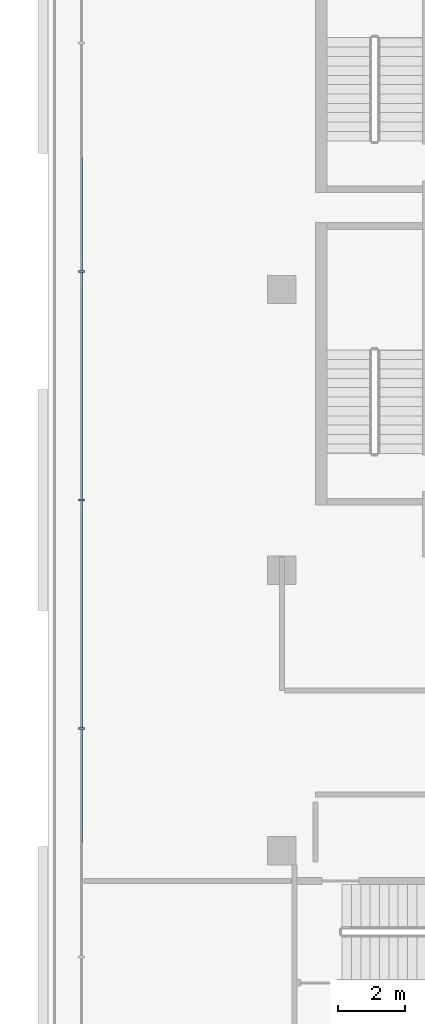
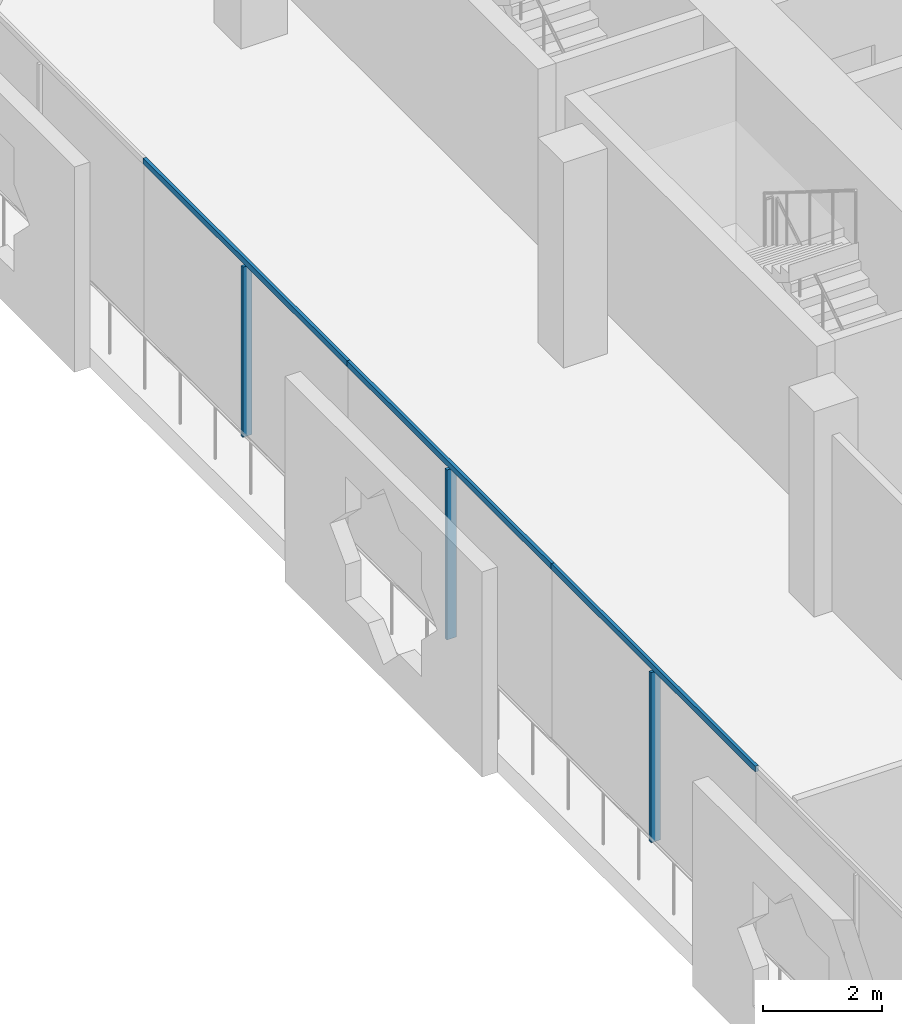
# One storey, part 3 of 21: 6 members, 1 element without a shape of its own.
"""IFC4 building model written with IfcOpenShell, lengths in metres."""

from ifc_helpers import new_model, si_unit, direction, frame, origin, origin_2d, place, context, subcontext, project, spatial, rectangle, extrude, material, layer, layer_set, material_profile, profile_set, type_object, element, aggregate, save


model = new_model("IFC4")

# Units and contexts
model_context = context("Model", 3, precision=1e-05, world=origin(), true_north=direction((0.0, 1.0)))
body_context = subcontext(model_context, "Body", "Model", "MODEL_VIEW")
ifc_project = project(units=[si_unit("LENGTHUNIT", "METRE"), si_unit("AREAUNIT", "SQUARE_METRE"), si_unit("VOLUMEUNIT", "CUBIC_METRE"), si_unit("PLANEANGLEUNIT", "RADIAN"), si_unit("MASSUNIT", "GRAM", prefix="KILO")], contexts=[model_context])

# Site, building, storey
site_placement = place(None, origin())
site = spatial("IfcSite", under=ifc_project, at=site_placement, CompositionType="ELEMENT")
building_placement = place(site_placement, origin())
building = spatial("IfcBuilding", under=site, at=building_placement, Name="Kawkab Arch Medical Tower", CompositionType="ELEMENT")
storey_placement = place(building_placement, frame((0.0, 0.0, 230.60009765625)))
storey = spatial("IfcBuildingStorey", under=building, at=storey_placement, Name="L53", CompositionType="ELEMENT", Elevation=230.60009765625)

# Curtain wall, members
ifc_material_1 = material(Name="Bronze anodised aluminium curtain wall frame", Category="aluminium")
ifc_layer = layer(ifc_material_1, 0.159912109375)
ifc_layer_set = layer_set([ifc_layer], Name="Bronze anodised aluminium curtain wall frame")
curtain_wall_type = type_object("IfcCurtainWallType", Name="CW1 ward curtain wall", PredefinedType="NOTDEFINED", material=ifc_layer_set)
curtain_wall_placement = place(storey_placement, origin())
curtain_wall = element("IfcCurtainWall", 1, at=curtain_wall_placement, inside=storey, type_object=curtain_wall_type, Name="CW1 Ward curtain wall R01", PredefinedType="NOTDEFINED")
ifc_material_2 = material(Name="Bronze anodised aluminium curtain wall frame", Category="aluminium")
ifc_material_profile_1 = material_profile(ifc_material_2, rectangle(XDim=0.179931640625, YDim=0.06005859375, at=origin_2d()), Name="AL 60x180")
ifc_profile_set_1 = profile_set([ifc_material_profile_1], Name="Bronze anodised aluminium curtain wall frame")
member_type_1 = type_object("IfcMemberType", Name="CW1 mullion 60 x 180", PredefinedType="MULLION", material=ifc_profile_set_1)
member_1_placement = place(storey_placement, frame((-6.0, -16.260009765625, 0.0), z_axis=(0.0, 0.0, 1.0), x_axis=(1.0, 0.0, 0.0)))
member_1 = element("IfcMember", 2, at=member_1_placement, type_object=member_type_1, Name="CW1 mullion 2.1", PredefinedType="MULLION", context=body_context, shape_type="SweptSolid", body=[
    extrude(rectangle(XDim=0.179931640625, YDim=0.06005859375, at=origin_2d()), origin(), (0.0, 0.0, 1.0), 3.47998046875),
])
member_2_placement = place(storey_placement, frame((-6.0, -23.10009765625, 0.0), z_axis=(0.0, 0.0, 1.0), x_axis=(1.0, 0.0, 0.0)))
member_2 = element("IfcMember", 3, at=member_2_placement, type_object=member_type_1, Name="CW1 mullion 3.1", PredefinedType="MULLION", context=body_context, shape_type="SweptSolid", body=[
    extrude(rectangle(XDim=0.179931640625, YDim=0.06005859375, at=origin_2d()), origin(), (0.0, 0.0, 1.0), 3.47998046875),
])
member_3_placement = place(storey_placement, frame((-6.0, -29.93994140625, 0.0), z_axis=(0.0, 0.0, 1.0), x_axis=(1.0, 0.0, 0.0)))
member_3 = element("IfcMember", 4, at=member_3_placement, type_object=member_type_1, Name="CW1 mullion 4.1", PredefinedType="MULLION", context=body_context, shape_type="SweptSolid", body=[
    extrude(rectangle(XDim=0.179931640625, YDim=0.06005859375, at=origin_2d()), origin(), (0.0, 0.0, 1.0), 3.47998046875),
])
ifc_material_3 = material(Name="Bronze anodised aluminium curtain wall frame", Category="aluminium")
ifc_material_profile_2 = material_profile(ifc_material_3, rectangle(XDim=0.06005859375, YDim=0.1201171875, at=origin_2d()), Name="AL 60x120")
ifc_profile_set_2 = profile_set([ifc_material_profile_2], Name="Bronze anodised aluminium curtain wall frame")
member_type_2 = type_object("IfcMemberType", Name="CW1 transom 120 x 60", PredefinedType="USERDEFINED", material=ifc_profile_set_2)
member_4_placement = place(storey_placement, frame((-6.0, -12.840087890625, 3.539794921875), z_axis=(0.0, -1.0, 0.0), x_axis=(1.0, 0.0, 0.0)))
member_4 = element("IfcMember", 5, at=member_4_placement, type_object=member_type_2, Name="CW1 transom 2", ObjectType="TRANSOM", PredefinedType="USERDEFINED", context=body_context, shape_type="SweptSolid", body=[
    extrude(rectangle(XDim=0.06005859375, YDim=0.1201171875, at=origin_2d()), origin(), (0.0, 0.0, 1.0), 6.83984375),
])
member_5_placement = place(storey_placement, frame((-6.0, -19.679931640625, 3.539794921875), z_axis=(0.0, -1.0, 0.0), x_axis=(1.0, 0.0, 0.0)))
member_5 = element("IfcMember", 6, at=member_5_placement, type_object=member_type_2, Name="CW1 transom 3", ObjectType="TRANSOM", PredefinedType="USERDEFINED", context=body_context, shape_type="SweptSolid", body=[
    extrude(rectangle(XDim=0.06005859375, YDim=0.1201171875, at=origin_2d()), origin(), (0.0, 0.0, 1.0), 6.840087890625),
])
member_6_placement = place(storey_placement, frame((-6.0, -26.52001953125, 3.539794921875), z_axis=(0.0, -1.0, 0.0), x_axis=(1.0, 0.0, 0.0)))
member_6 = element("IfcMember", 7, at=member_6_placement, type_object=member_type_2, Name="CW1 transom 4", ObjectType="TRANSOM", PredefinedType="USERDEFINED", context=body_context, shape_type="SweptSolid", body=[
    extrude(rectangle(XDim=0.06005859375, YDim=0.1201171875, at=origin_2d()), origin(), (0.0, 0.0, 1.0), 6.840087890625),
])
aggregate(curtain_wall, [member_4, member_1, member_5, member_2, member_6, member_3])

save(model, "model.ifc")
